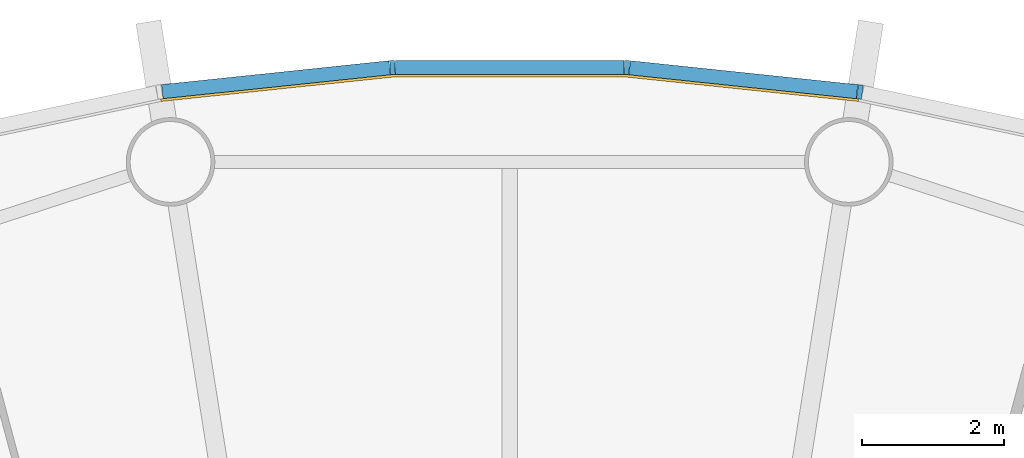
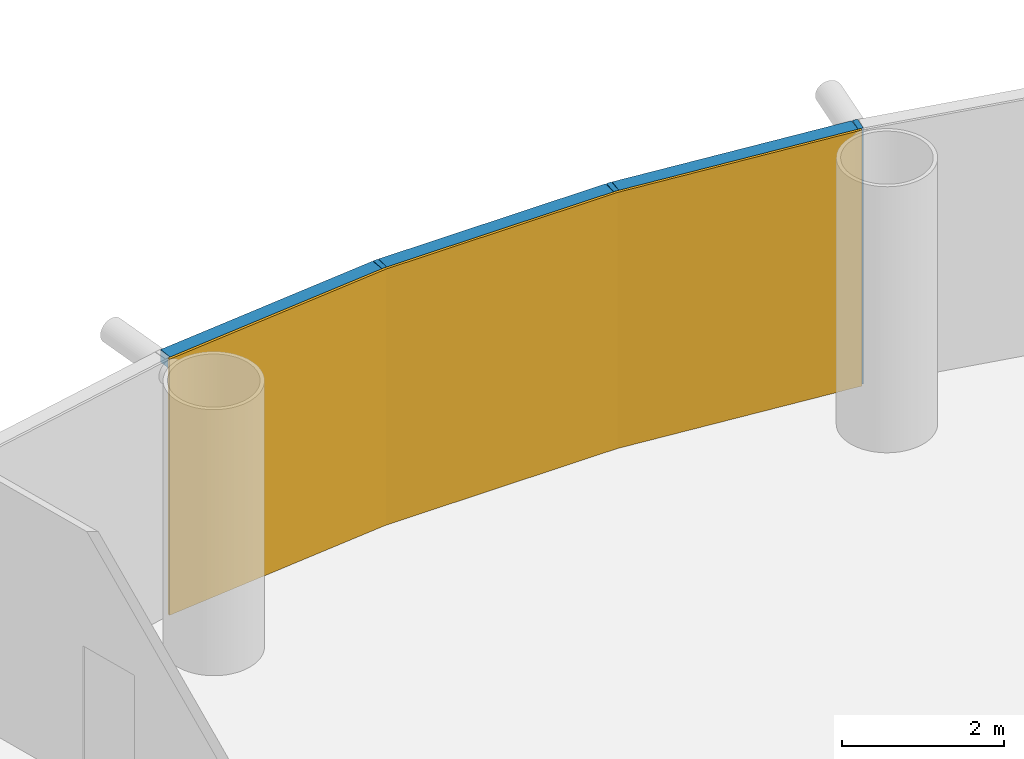
# One storey, part 11 of 13: 6 members, 1 curtain wall.
"""IFC4 building model written with IfcOpenShell, lengths in metres."""

from ifc_helpers import new_model, si_unit, direction, frame, origin, origin_2d, place, context, subcontext, project, spatial, polyline, rectangle, outline, extrude, material, layer, layer_set, material_profile, profile_set, type_object, element, aggregate, save


model = new_model("IFC4")

# Units and contexts
model_context = context("Model", 3, precision=1e-05, world=origin(), true_north=direction((0.0, 1.0)))
body_context = subcontext(model_context, "Body", "Model", "MODEL_VIEW")
ifc_project = project(units=[si_unit("LENGTHUNIT", "METRE"), si_unit("AREAUNIT", "SQUARE_METRE"), si_unit("VOLUMEUNIT", "CUBIC_METRE"), si_unit("PLANEANGLEUNIT", "RADIAN"), si_unit("MASSUNIT", "GRAM", prefix="KILO")], contexts=[model_context])

# Member
ifc_material_1 = material(Name="Anodised aluminium", Category="aluminium")
ifc_material_profile_1 = material_profile(ifc_material_1, rectangle(XDim=0.070068359375, YDim=0.199951171875, at=origin_2d()), Name="Mullion 70 x 200 mm anodised aluminium")
ifc_profile_set_1 = profile_set([ifc_material_profile_1], Name="Anodised aluminium")
member_type_1 = type_object("IfcMemberType", Name="Mullion 70 x 200 mm anodised aluminium", PredefinedType="MULLION", material=ifc_profile_set_1)
site_placement = place(None, origin())
building_placement = place(site_placement, origin())
storey_placement = place(building_placement, frame((0.0, 0.0, 92.0)))
member_1_placement = place(storey_placement, frame((94.943359375, 111.2109375, 0.0), z_axis=(0.0, 0.0, 1.0), x_axis=(-0.987688340595, 0.15643446504, 0.0)))
member_1 = element("IfcMember", 1, at=member_1_placement, type_object=member_type_1, Name="MULLION L20-12", PredefinedType="MULLION", context=body_context, shape_type="SweptSolid", body=[
    extrude(rectangle(XDim=0.070068359375, YDim=0.199951171875, at=origin_2d()), origin(), (0.0, 0.0, 1.0), 3.85009765625),
])

member_2_placement = place(storey_placement, frame((91.65380859375, 111.556640625, 0.0), z_axis=(0.0, 0.0, 1.0), x_axis=(-0.998629534755, 0.052335956243, 0.0)))
member_2 = element("IfcMember", 2, at=member_2_placement, type_object=member_type_1, Name="MULLION L20-13", PredefinedType="MULLION", context=body_context, shape_type="SweptSolid", body=[
    extrude(rectangle(XDim=0.070068359375, YDim=0.199951171875, at=origin_2d()), origin(), (0.0, 0.0, 1.0), 3.85009765625),
])

member_3_placement = place(storey_placement, frame((88.34619140625, 111.556640625, 0.0), z_axis=(0.0, 0.0, 1.0), x_axis=(-0.998629534755, -0.052335956243, 0.0)))
member_3 = element("IfcMember", 3, at=member_3_placement, type_object=member_type_1, Name="MULLION L20-14", PredefinedType="MULLION", context=body_context, shape_type="SweptSolid", body=[
    extrude(rectangle(XDim=0.070068359375, YDim=0.199951171875, at=origin_2d()), origin(), (0.0, 0.0, 1.0), 3.85009765625),
])

ifc_material_2 = material(Name="Anodised aluminium", Category="aluminium")
ifc_material_profile_2 = material_profile(ifc_material_2, rectangle(XDim=0.199951171875, YDim=0.18994140625, at=origin_2d()), Name="Transom 190 x 200 mm anodised aluminium")
ifc_profile_set_2 = profile_set([ifc_material_profile_2], Name="Anodised aluminium")
member_type_2 = type_object("IfcMemberType", Name="Transom 190 x 200 mm anodised aluminium", PredefinedType="USERDEFINED", material=ifc_profile_set_2)
member_4_placement = place(storey_placement, frame((94.9033203125, 111.21533203125, 3.7548828125), z_axis=(-0.994519537956, 0.104550890115, 0.0), x_axis=(-0.104550890115, -0.994519537956, 0.0)))
member_4 = element("IfcMember", 4, at=member_4_placement, type_object=member_type_2, Name="TRANSOM L20-12", ObjectType="TRANSOM", PredefinedType="USERDEFINED", context=body_context, shape_type="SweptSolid", body=[
    extrude(rectangle(XDim=0.199951171875, YDim=0.18994140625, at=origin_2d()), origin(), (0.0, 0.0, 1.0), 3.22705078125),
])

member_5_placement = place(storey_placement, frame((91.613525390625, 111.556884765625, 3.7548828125), z_axis=(-1.0, 0.0, 0.0), x_axis=(0.0, -1.0, 0.0)))
member_5 = element("IfcMember", 5, at=member_5_placement, type_object=member_type_2, Name="TRANSOM L20-13", ObjectType="TRANSOM", PredefinedType="USERDEFINED", context=body_context, shape_type="SweptSolid", body=[
    extrude(rectangle(XDim=0.199951171875, YDim=0.18994140625, at=origin_2d()), origin(), (0.0, 0.0, 1.0), 3.22705078125),
])

member_6_placement = place(storey_placement, frame((88.30615234375, 111.552734375, 3.7548828125), z_axis=(-0.994519537956, -0.104550890115, 0.0), x_axis=(0.104550890115, -0.994519537956, 0.0)))
member_6 = element("IfcMember", 6, at=member_6_placement, type_object=member_type_2, Name="TRANSOM L20-14", ObjectType="TRANSOM", PredefinedType="USERDEFINED", context=body_context, shape_type="SweptSolid", body=[
    extrude(rectangle(XDim=0.199951171875, YDim=0.18994140625, at=origin_2d()), origin(), (0.0, 0.0, 1.0), 3.22705078125),
])

# Site, building, storey
site = spatial("IfcSite", under=ifc_project, at=site_placement, CompositionType="ELEMENT")
building = spatial("IfcBuilding", under=site, at=building_placement, Name="Entoto Ring Tower", CompositionType="ELEMENT")
storey = spatial("IfcBuildingStorey", under=building, at=storey_placement, Name="L20", CompositionType="ELEMENT", Elevation=92.0)

# Curtain wall
ifc_material_3 = material(Name="Clear low-iron glass", Category="glass")
ifc_layer = layer(ifc_material_3, 0.035888671875)
ifc_layer_set = layer_set([ifc_layer], Name="Clear low-iron glass")
curtain_wall_type = type_object("IfcCurtainWallType", Name="Curtain wall system CW2 glazing 36 mm", PredefinedType="NOTDEFINED", material=ifc_layer_set)
curtain_wall_placement = place(storey_placement, origin())
curtain_wall = element("IfcCurtainWall", 7, at=curtain_wall_placement, inside=storey, type_object=curtain_wall_type, Name="CW2 L20-05", PredefinedType="NOTDEFINED", context=body_context, shape_type="SweptSolid", body=[
    extrude(outline(polyline([(94.927734375, 111.1123046875), (91.648681640625, 111.456787109375), (88.351318359375, 111.456787109375), (85.072265625, 111.1123046875), (85.077880859375, 111.07666015625), (88.353271484375, 111.4208984375), (91.646728515625, 111.4208984375), (94.922119140625, 111.07666015625), (94.927734375, 111.1123046875)])), origin(), (0.0, 0.0, 1.0), 3.85009765625),
])

aggregate(curtain_wall, [member_1, member_2, member_3, member_4, member_5, member_6])

save(model, "model.ifc")
